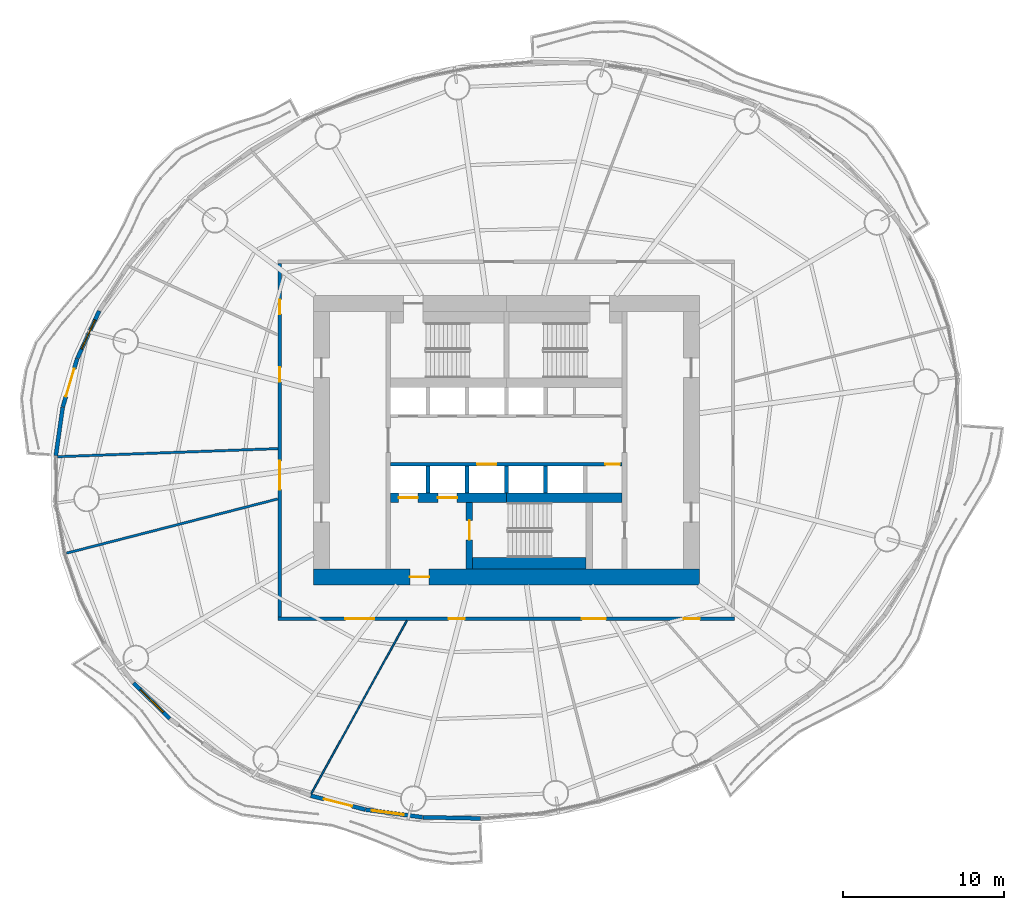
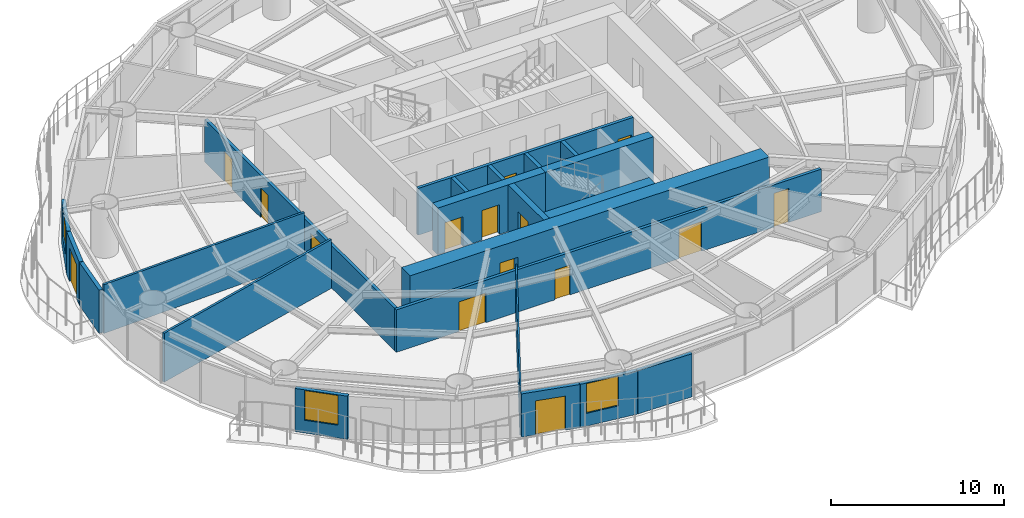
# One storey, part 8 of 17: 22 walls, 15 doors, 3 windows, 18 openings.
"""IFC4 building model written with IfcOpenShell, lengths in metres."""

from ifc_helpers import new_model, si_unit, direction, frame, frame_2d, origin, place, context, subcontext, project, spatial, rectangle, extrude, material, layer, layer_set, type_object, element, fill, save


model = new_model("IFC4")

# Units and contexts
model_context = context("Model", 3, precision=1e-05, world=origin(), true_north=direction((0.0, 1.0)))
body_context = subcontext(model_context, "Body", "Model", "MODEL_VIEW")
ifc_project = project(units=[si_unit("LENGTHUNIT", "METRE"), si_unit("AREAUNIT", "SQUARE_METRE"), si_unit("VOLUMEUNIT", "CUBIC_METRE"), si_unit("PLANEANGLEUNIT", "RADIAN"), si_unit("MASSUNIT", "GRAM", prefix="KILO")], contexts=[model_context])

# Site, building, storey
site_placement = place(None, origin())
site = spatial("IfcSite", under=ifc_project, at=site_placement, CompositionType="ELEMENT")
building_placement = place(site_placement, origin())
building = spatial("IfcBuilding", under=site, at=building_placement, Name="Vermilion Reach Broadcast Tower", CompositionType="ELEMENT")
storey_placement = place(building_placement, frame((0.0, 0.0, 92.199951171875)))
storey = spatial("IfcBuildingStorey", under=building, at=storey_placement, Name="L20", CompositionType="ELEMENT", Elevation=92.199951171875)

# Wall, opening, door
ifc_material_1 = material(Name="Concrete C70", Category="concrete")
ifc_layer_1 = layer(ifc_material_1, 0.39990234375)
ifc_layer_set_1 = layer_set([ifc_layer_1], Name="Core inner wall 400 mm Concrete C70")
wall_type_1 = type_object("IfcWallType", Name="Core inner wall 400 mm Concrete C70", PredefinedType="SHEAR", material=ifc_layer_set_1)
wall_1_placement = place(storey_placement, frame((-8.300048828125, -3.8798828125, 0.0), z_axis=(0.0, 0.0, 1.0), x_axis=(0.0, -1.0, 0.0)))
wall_1 = element("IfcWall", 1, at=wall_1_placement, inside=storey, type_object=wall_type_1, Name="L20 core wall wa", PredefinedType="SHEAR", context=body_context, shape_type="SweptSolid", body=[
    extrude(rectangle(XDim=4.1201171875, YDim=0.39990234375, at=frame_2d((2.06005859375, 0.0))), origin(), (0.0, 0.0, 1.0), 3.300048828125),
])
opening_1_placement = place(wall_1_placement, frame((1.110107421875, 0.0, 0.0)))
opening_1 = element("IfcOpeningElement", 2, at=opening_1_placement, cuts=wall_1, Name="Opening D01", PredefinedType="OPENING", context=body_context, shape_type="SweptSolid", body=[
    extrude(rectangle(XDim=1.199951171875, YDim=2.10009765625, at=frame_2d((0.60009765625, 1.050048828125))), frame((0.0, 0.2099609375, 0.0), z_axis=(0.0, -1.0, 0.0), x_axis=(1.0, 0.0, 0.0)), (0.0, 0.0, 1.0), 0.419921875),
])
ifc_material_2 = material(Name="Painted steel fire door", Category="steel")
door_type_1 = type_object("IfcDoorType", Name="Stair door 1200 x 2100", OperationType="DOUBLE_DOOR_SINGLE_SWING", PredefinedType="NOTDEFINED", material=ifc_material_2)
door_1_placement = place(opening_1_placement, origin())
door_1 = element("IfcDoor", 3, at=door_1_placement, inside=storey, type_object=door_type_1, Name="L20 stair door ST3", OperationType="DOUBLE_DOOR_SINGLE_SWING", OverallHeight=2.10009765625, OverallWidth=1.199951171875, PredefinedType="NOTDEFINED", context=body_context, shape_type="SweptSolid", body=[
    extrude(rectangle(XDim=1.199951171875, YDim=2.10009765625, at=frame_2d((0.60009765625, 1.050048828125))), frame((0.0, 0.02490234375, 0.0), z_axis=(0.0, -1.0, 0.0), x_axis=(1.0, 0.0, 0.0)), (0.0, 0.0, 1.0), 0.050048828125),
])
fill(opening_1, door_1)

# Wall, openings, doors
ifc_material_3 = material(Name="Concrete C70", Category="concrete")
ifc_layer_2 = layer(ifc_material_3, 0.60009765625)
ifc_layer_set_2 = layer_set([ifc_layer_2], Name="Core inner wall 600 mm Concrete C70")
wall_type_2 = type_object("IfcWallType", Name="Core inner wall 600 mm Concrete C70", PredefinedType="SHEAR", material=ifc_layer_set_2)
wall_2_placement = place(storey_placement, frame((-13.199951171875, -3.580078125, 0.0), z_axis=(0.0, 0.0, 1.0), x_axis=(1.0, 0.0, 0.0)))
wall_2 = element("IfcWall", 4, at=wall_2_placement, inside=storey, type_object=wall_type_2, Name="L20 core wall wisW", PredefinedType="SHEAR", context=body_context, shape_type="SweptSolid", body=[
    extrude(rectangle(XDim=7.199951171875, YDim=0.60009765625, at=frame_2d((3.60009765625, 0.0))), origin(), (0.0, 0.0, 1.0), 3.300048828125),
])
opening_2_placement = place(wall_2_placement, frame((0.495849609375, 0.0, 0.0)))
opening_2 = element("IfcOpeningElement", 5, at=opening_2_placement, cuts=wall_2, Name="Opening LD1", PredefinedType="OPENING", context=body_context, shape_type="SweptSolid", body=[
    extrude(rectangle(XDim=1.199951171875, YDim=2.10009765625, at=frame_2d((0.60009765625, 1.050048828125))), frame((0.0, 0.31005859375, 0.0), z_axis=(0.0, -1.0, 0.0), x_axis=(1.0, 0.0, 0.0)), (0.0, 0.0, 1.0), 0.6201171875),
])
opening_3_placement = place(wall_2_placement, frame((2.9375, 0.0, 0.0)))
opening_3 = element("IfcOpeningElement", 6, at=opening_3_placement, cuts=wall_2, Name="Opening LD1", PredefinedType="OPENING", context=body_context, shape_type="SweptSolid", body=[
    extrude(rectangle(XDim=1.199951171875, YDim=2.10009765625, at=frame_2d((0.60009765625, 1.050048828125))), frame((0.0, 0.31005859375, 0.0), z_axis=(0.0, -1.0, 0.0), x_axis=(1.0, 0.0, 0.0)), (0.0, 0.0, 1.0), 0.6201171875),
])
ifc_material_4 = material(Name="Stainless steel", Category="steel")
door_type_2 = type_object("IfcDoorType", Name="Landing door 1200 x 2100", OperationType="DOUBLE_DOOR_SLIDING", PredefinedType="NOTDEFINED", material=ifc_material_4)
door_2_placement = place(opening_2_placement, origin())
door_2 = element("IfcDoor", 7, at=door_2_placement, inside=storey, type_object=door_type_2, Name="L20 landing door FF1", OperationType="DOUBLE_DOOR_SLIDING", OverallHeight=2.10009765625, OverallWidth=1.199951171875, PredefinedType="NOTDEFINED", context=body_context, shape_type="SweptSolid", body=[
    extrude(rectangle(XDim=1.199951171875, YDim=2.10009765625, at=frame_2d((0.60009765625, 1.050048828125))), frame((0.0, 0.02490234375, 0.0), z_axis=(0.0, -1.0, 0.0), x_axis=(1.0, 0.0, 0.0)), (0.0, 0.0, 1.0), 0.050048828125),
])
fill(opening_2, door_2)
door_3_placement = place(opening_3_placement, origin())
door_3 = element("IfcDoor", 8, at=door_3_placement, inside=storey, type_object=door_type_2, Name="L20 landing door FF2", OperationType="DOUBLE_DOOR_SLIDING", OverallHeight=2.10009765625, OverallWidth=1.199951171875, PredefinedType="NOTDEFINED", context=body_context, shape_type="SweptSolid", body=[
    extrude(rectangle(XDim=1.199951171875, YDim=2.10009765625, at=frame_2d((0.60009765625, 1.050048828125))), frame((0.0, 0.02490234375, 0.0), z_axis=(0.0, -1.0, 0.0), x_axis=(1.0, 0.0, 0.0)), (0.0, 0.0, 1.0), 0.050048828125),
])
fill(opening_3, door_3)

# Wall
wall_3_placement = place(storey_placement, frame((-6.0, -3.580078125, 0.0), z_axis=(0.0, 0.0, 1.0), x_axis=(1.0, 0.0, 0.0)))
element("IfcWall", 9, at=wall_3_placement, inside=storey, type_object=wall_type_2, Name="L20 core wall wisE", PredefinedType="SHEAR", context=body_context, shape_type="SweptSolid", body=[
    extrude(rectangle(XDim=7.199951171875, YDim=0.60009765625, at=frame_2d((3.60009765625, 0.0))), origin(), (0.0, 0.0, 1.0), 3.300048828125),
])

# Wall, opening, door
ifc_material_5 = material(Name="Concrete C70", Category="concrete")
ifc_layer_3 = layer(ifc_material_5, 1.0)
ifc_layer_set_3 = layer_set([ifc_layer_3], Name="Core outer wall 1000 mm Concrete C70")
wall_type_3 = type_object("IfcWallType", Name="Core outer wall 1000 mm Concrete C70", PredefinedType="SHEAR", material=ifc_layer_set_3)
wall_4_placement = place(storey_placement, frame((-18.0, -8.5, 0.0), z_axis=(0.0, 0.0, 1.0), x_axis=(1.0, 0.0, 0.0)))
wall_4 = element("IfcWall", 10, at=wall_4_placement, inside=storey, type_object=wall_type_3, Name="L20 core wall os", PredefinedType="SHEAR", context=body_context, shape_type="SweptSolid", body=[
    extrude(rectangle(XDim=24.0, YDim=1.0, at=frame_2d((12.0, 0.0))), origin(), (0.0, 0.0, 1.0), 3.300048828125),
])
opening_4_placement = place(wall_4_placement, frame((6.0, 0.0, 0.0)))
opening_4 = element("IfcOpeningElement", 11, at=opening_4_placement, cuts=wall_4, Name="Opening D02", PredefinedType="OPENING", context=body_context, shape_type="SweptSolid", body=[
    extrude(rectangle(XDim=1.199951171875, YDim=2.10009765625, at=frame_2d((0.60009765625, 1.050048828125))), frame((0.0, 0.510009765625, 0.0), z_axis=(0.0, -1.0, 0.0), x_axis=(1.0, 0.0, 0.0)), (0.0, 0.0, 1.0), 1.02001953125),
])
ifc_material_6 = material(Name="Painted steel fire door", Category="steel")
door_type_3 = type_object("IfcDoorType", Name="Firefighting lobby door 1200 x 2100", OperationType="DOUBLE_DOOR_SINGLE_SWING", PredefinedType="NOTDEFINED", material=ifc_material_6)
door_4_placement = place(opening_4_placement, origin())
door_4 = element("IfcDoor", 12, at=door_4_placement, inside=storey, type_object=door_type_3, Name="L20 ffdoor door FFL", OperationType="DOUBLE_DOOR_SINGLE_SWING", OverallHeight=2.10009765625, OverallWidth=1.199951171875, PredefinedType="NOTDEFINED", context=body_context, shape_type="SweptSolid", body=[
    extrude(rectangle(XDim=1.199951171875, YDim=2.10009765625, at=frame_2d((0.60009765625, 1.050048828125))), frame((0.0, 0.02490234375, 0.0), z_axis=(0.0, -1.0, 0.0), x_axis=(1.0, 0.0, 0.0)), (0.0, 0.0, 1.0), 0.050048828125),
])
fill(opening_4, door_4)

# Wall, openings, doors
ifc_material_7 = material(Name="Concrete C50", Category="concrete")
ifc_layer_4 = layer(ifc_material_7, 0.199951171875)
ifc_layer_set_4 = layer_set([ifc_layer_4], Name="Core shaft wall 200 mm Concrete C50")
wall_type_4 = type_object("IfcWallType", Name="Core shaft wall 200 mm Concrete C50", PredefinedType="SHEAR", material=ifc_layer_set_4)
wall_5_placement = place(storey_placement, frame((1.199951171875, -1.5, 0.0), z_axis=(0.0, 0.0, 1.0), x_axis=(-1.0, 0.0, 0.0)))
wall_5 = element("IfcWall", 13, at=wall_5_placement, inside=storey, type_object=wall_type_4, Name="L20 core wall fs", PredefinedType="SHEAR", context=body_context, shape_type="SweptSolid", body=[
    extrude(rectangle(XDim=14.39990234375, YDim=0.199951171875, at=frame_2d((7.199951171875, 0.0))), origin(), (0.0, 0.0, 1.0), 3.300048828125),
])
opening_5_placement = place(wall_5_placement, frame((7.82080078125, 0.0, 0.0)))
opening_5 = element("IfcOpeningElement", 14, at=opening_5_placement, cuts=wall_5, Name="Opening LD1", PredefinedType="OPENING", context=body_context, shape_type="SweptSolid", body=[
    extrude(rectangle(XDim=1.199951171875, YDim=2.10009765625, at=frame_2d((0.60009765625, 1.050048828125))), frame((0.0, 0.10986328125, 0.0), z_axis=(0.0, -1.0, 0.0), x_axis=(1.0, 0.0, 0.0)), (0.0, 0.0, 1.0), 0.219970703125),
])
opening_6_placement = place(wall_5_placement, frame((0.14990234375, 0.0, 0.0)))
opening_6 = element("IfcOpeningElement", 15, at=opening_6_placement, cuts=wall_5, Name="Opening D06", PredefinedType="OPENING", context=body_context, shape_type="SweptSolid", body=[
    extrude(rectangle(XDim=0.89990234375, YDim=2.10009765625, at=frame_2d((0.449951171875, 1.050048828125))), frame((0.0, 0.10986328125, 0.0), z_axis=(0.0, -1.0, 0.0), x_axis=(1.0, 0.0, 0.0)), (0.0, 0.0, 1.0), 0.219970703125),
])
door_5_placement = place(opening_5_placement, origin())
door_5 = element("IfcDoor", 16, at=door_5_placement, inside=storey, type_object=door_type_2, Name="L20 landing door SV1", OperationType="DOUBLE_DOOR_SLIDING", OverallHeight=2.10009765625, OverallWidth=1.199951171875, PredefinedType="NOTDEFINED", context=body_context, shape_type="SweptSolid", body=[
    extrude(rectangle(XDim=1.199951171875, YDim=2.10009765625, at=frame_2d((0.60009765625, 1.050048828125))), frame((0.0, 0.02490234375, 0.0), z_axis=(0.0, -1.0, 0.0), x_axis=(1.0, 0.0, 0.0)), (0.0, 0.0, 1.0), 0.050048828125),
])
fill(opening_5, door_5)
ifc_material_8 = material(Name="Timber door", Category="wood")
door_type_4 = type_object("IfcDoorType", Name="WC door 900 x 2100", OperationType="NOTDEFINED", PredefinedType="NOTDEFINED", material=ifc_material_8)
door_6_placement = place(opening_6_placement, origin())
door_6 = element("IfcDoor", 17, at=door_6_placement, inside=storey, type_object=door_type_4, Name="L20 door Male WC", OperationType="SINGLE_SWING_LEFT", OverallHeight=2.10009765625, OverallWidth=0.89990234375, PredefinedType="NOTDEFINED", context=body_context, shape_type="SweptSolid", body=[
    extrude(rectangle(XDim=0.89990234375, YDim=2.10009765625, at=frame_2d((0.449951171875, 1.050048828125))), frame((0.0, 0.02490234375, 0.0), z_axis=(0.0, -1.0, 0.0), x_axis=(1.0, 0.0, 0.0)), (0.0, 0.0, 1.0), 0.050048828125),
])
fill(opening_6, door_6)

# Walls
ifc_material_9 = material(Name="Concrete C50", Category="concrete")
ifc_layer_5 = layer(ifc_material_9, 0.25)
ifc_layer_set_5 = layer_set([ifc_layer_5], Name="Core shaft wall 250 mm Concrete C50")
wall_type_5 = type_object("IfcWallType", Name="Core shaft wall 250 mm Concrete C50", PredefinedType="SHEAR", material=ifc_layer_set_5)
for number, where, z_axis, x_axis, name in (
    (18, (-10.88330078125, -1.60009765625, 0.0), (0.0, 0.0, 1.0), (0.0, -1.0, 0.0), "L20 core wall psS0"),
    (19, (-8.441650390625, -1.60009765625, 0.0), (0.0, 0.0, 1.0), (0.0, -1.0, 0.0), "L20 core wall psS1"),
    (20, (-6.0, -1.60009765625, 0.0), (0.0, 0.0, 1.0), (0.0, -1.0, 0.0), "L20 core wall psS2"),
    (21, (-3.558349609375, -1.60009765625, 0.0), (0.0, 0.0, 1.0), (0.0, -1.0, 0.0), "L20 core wall psS3"),
):
    element("IfcWall", number, at=place(storey_placement, frame(where, z_axis=z_axis, x_axis=x_axis)), inside=storey, type_object=wall_type_5, Name=name, PredefinedType="SHEAR", context=body_context, shape_type="SweptSolid", body=[
        extrude(rectangle(XDim=1.679931640625, YDim=0.25, at=frame_2d((0.83984375, 0.0))), origin(), (0.0, 0.0, 1.0), 3.300048828125),
    ])
ifc_material_10 = material(Name="Concrete C70", Category="concrete")
ifc_layer_6 = layer(ifc_material_10, 0.699951171875)
ifc_layer_set_6 = layer_set([ifc_layer_6], Name="Core stair wall 700 mm Concrete C70")
wall_type_6 = type_object("IfcWallType", Name="Core stair wall 700 mm Concrete C70", PredefinedType="SHEAR", material=ifc_layer_set_6)
wall_6_placement = place(storey_placement, frame((-8.10009765625, -7.64990234375, 0.0), z_axis=(0.0, 0.0, 1.0), x_axis=(1.0, 0.0, 0.0)))
element("IfcWall", 22, at=wall_6_placement, inside=storey, type_object=wall_type_6, Name="L20 core wall l3", PredefinedType="SHEAR", context=body_context, shape_type="SweptSolid", body=[
    extrude(rectangle(XDim=7.050048828125, YDim=0.699951171875, at=frame_2d((3.52490234375, 0.0))), origin(), (0.0, 0.0, 1.0), 3.300048828125),
])
ifc_material_11 = material(Name="Plasterboard on steel stud", Category="steel")
ifc_layer_7 = layer(ifc_material_11, 0.10009765625)
ifc_layer_set_7 = layer_set([ifc_layer_7], Name="Partition 100 steel stud")
wall_type_7 = type_object("IfcWallType", Name="Partition 100 steel stud", PredefinedType="PARTITIONING", material=ifc_layer_set_7)
wall_7_placement = place(storey_placement, frame((-18.13818359375, -21.9853515625, 0.0), z_axis=(0.0, 0.0, 1.0), x_axis=(0.483337741679, 0.875433965225, 0.0)))
element("IfcWall", 23, at=wall_7_placement, inside=storey, type_object=wall_type_7, Name="Partition 20.07", PredefinedType="PARTITIONING", context=body_context, shape_type="SweptSolid", body=[
    extrude(rectangle(XDim=12.29248046875, YDim=0.10009765625, at=frame_2d((6.146240234375, 0.0))), origin(), (0.0, 0.0, 1.0), 3.449951171875),
])
ifc_material_12 = material(Name="Lightweight concrete block, plastered", Category="concrete")
ifc_layer_8 = layer(ifc_material_12, 0.14990234375)
ifc_layer_set_8 = layer_set([ifc_layer_8], Name="Partition 150 lightweight block")
wall_type_8 = type_object("IfcWallType", Name="Partition 150 lightweight block", PredefinedType="PARTITIONING", material=ifc_layer_set_8)
wall_8_placement = place(storey_placement, frame((-33.906982421875, -1.02490234375, 0.0), z_axis=(0.0, 0.0, 1.0), x_axis=(0.999325981894, 0.036709425377, 0.0)))
element("IfcWall", 24, at=wall_8_placement, inside=storey, type_object=wall_type_8, Name="Partition 20.05", PredefinedType="PARTITIONING", context=body_context, shape_type="SweptSolid", body=[
    extrude(rectangle(XDim=13.713623046875, YDim=0.14990234375, at=frame_2d((6.85693359375, 0.0))), origin(), (0.0, 0.0, 1.0), 3.449951171875),
])
wall_9_placement = place(storey_placement, frame((-33.353515625, -7.023193359375, 0.0), z_axis=(0.0, 0.0, 1.0), x_axis=(0.968580958916, 0.248698464061, 0.0)))
element("IfcWall", 25, at=wall_9_placement, inside=storey, type_object=wall_type_8, Name="Partition 20.06", PredefinedType="PARTITIONING", context=body_context, shape_type="SweptSolid", body=[
    extrude(rectangle(XDim=13.560791015625, YDim=0.14990234375, at=frame_2d((6.7802734375, 0.0))), origin(), (0.0, 0.0, 1.0), 3.449951171875),
])

# Wall, opening, window
ifc_material_13 = material(Name="Terracotta rainscreen cladding", Category="masonry")
ifc_layer_9 = layer(ifc_material_13, 0.25)
ifc_layer_set_9 = layer_set([ifc_layer_9], Name="Terracotta rainscreen wall 250")
wall_type_9 = type_object("IfcWallType", Name="Terracotta rainscreen wall 250", PredefinedType="SOLIDWALL", material=ifc_layer_set_9)
wall_10_placement = place(storey_placement, frame((-31.325927734375, 8.039306640625, 0.0), z_axis=(0.0, 0.0, 1.0), x_axis=(-0.41936019053, -0.907819932916, 0.0)))
wall_10 = element("IfcWall", 26, at=wall_10_placement, inside=storey, type_object=wall_type_9, Name="External wall L20 19", PredefinedType="SOLIDWALL", context=body_context, shape_type="SweptSolid", body=[
    extrude(rectangle(XDim=3.229248046875, YDim=0.25, at=frame_2d((1.61474609375, 0.0))), origin(), (0.0, 0.0, 1.0), 3.050048828125),
])
opening_7_placement = place(wall_10_placement, frame((0.61474609375, 0.0, 0.89990234375)))
opening_7 = element("IfcOpeningElement", 27, at=opening_7_placement, cuts=wall_10, Name="Opening W03", PredefinedType="OPENING", context=body_context, shape_type="SweptSolid", body=[
    extrude(rectangle(XDim=2.0, YDim=2.10009765625, at=frame_2d((1.0, 1.050048828125))), frame((0.0, 0.135009765625, 0.0), z_axis=(0.0, -1.0, 0.0), x_axis=(1.0, 0.0, 0.0)), (0.0, 0.0, 1.0), 0.27001953125),
])
ifc_material_14 = material(Name="Low-e laminated clear glass in aluminium frame", Category="aluminium")
window_type = type_object("IfcWindowType", Name="Punched window 2000 x 2100 sill 900", PartitioningType="SINGLE_PANEL", PredefinedType="WINDOW", material=ifc_material_14)
window_1_placement = place(opening_7_placement, origin())
window_1 = element("IfcWindow", 28, at=window_1_placement, inside=storey, type_object=window_type, Name="Window L20 19", OverallHeight=2.10009765625, OverallWidth=2.0, PartitioningType="SINGLE_PANEL", PredefinedType="WINDOW", context=body_context, shape_type="SweptSolid", body=[
    extrude(rectangle(XDim=2.0, YDim=2.10009765625, at=frame_2d((1.0, 1.050048828125))), frame((0.0, 0.030029296875, 0.0), z_axis=(0.0, -1.0, 0.0), x_axis=(1.0, 0.0, 0.0)), (0.0, 0.0, 1.0), 0.06005859375),
])
fill(opening_7, window_1)

# Wall, opening, door
wall_11_placement = place(storey_placement, frame((-32.689453125, 5.08349609375, 0.0), z_axis=(0.0, 0.0, 1.0), x_axis=(-0.286322623224, -0.958133266008, 0.0)))
wall_11 = element("IfcWall", 29, at=wall_11_placement, inside=storey, type_object=wall_type_9, Name="External wall L20 20", PredefinedType="SOLIDWALL", context=body_context, shape_type="SweptSolid", body=[
    extrude(rectangle(XDim=3.146484375, YDim=0.25, at=frame_2d((1.5732421875, 0.0))), origin(), (0.0, 0.0, 1.0), 3.050048828125),
])
opening_8_placement = place(wall_11_placement, frame((0.673095703125, 0.0, 0.0)))
opening_8 = element("IfcOpeningElement", 30, at=opening_8_placement, cuts=wall_11, Name="Opening D70", PredefinedType="OPENING", context=body_context, shape_type="SweptSolid", body=[
    extrude(rectangle(XDim=1.800048828125, YDim=2.39990234375, at=frame_2d((0.89990234375, 1.199951171875))), frame((0.0, 0.135009765625, 0.0), z_axis=(0.0, -1.0, 0.0), x_axis=(1.0, 0.0, 0.0)), (0.0, 0.0, 1.0), 0.27001953125),
])
ifc_material_15 = material(Name="Low-e laminated clear glass in aluminium frame", Category="aluminium")
door_type_5 = type_object("IfcDoorType", Name="Balcony sliding door 1800 x 2400", OperationType="DOUBLE_DOOR_SLIDING", PredefinedType="DOOR", material=ifc_material_15)
door_7_placement = place(opening_8_placement, origin())
door_7 = element("IfcDoor", 31, at=door_7_placement, inside=storey, type_object=door_type_5, Name="Balcony door L20 run 05", OperationType="DOUBLE_DOOR_SLIDING", OverallHeight=2.39990234375, OverallWidth=1.800048828125, PredefinedType="DOOR", context=body_context, shape_type="SweptSolid", body=[
    extrude(rectangle(XDim=1.800048828125, YDim=2.39990234375, at=frame_2d((0.89990234375, 1.199951171875))), frame((0.0, 0.02490234375, 0.0), z_axis=(0.0, -1.0, 0.0), x_axis=(1.0, 0.0, 0.0)), (0.0, 0.0, 1.0), 0.050048828125),
])
fill(opening_8, door_7)

# Wall
wall_12_placement = place(storey_placement, frame((-33.595947265625, 2.04296875, 0.0), z_axis=(0.0, 0.0, 1.0), x_axis=(-0.140993456439, -0.990010527844, 0.0)))
element("IfcWall", 32, at=wall_12_placement, inside=storey, type_object=wall_type_9, Name="External wall L20 21", PredefinedType="SOLIDWALL", context=body_context, shape_type="SweptSolid", body=[
    extrude(rectangle(XDim=3.035400390625, YDim=0.25, at=frame_2d((1.517578125, 0.0))), origin(), (0.0, 0.0, 1.0), 3.050048828125),
])

# Wall, opening, window
wall_13_placement = place(storey_placement, frame((-29.180908203125, -15.104736328125, 0.0), z_axis=(0.0, 0.0, 1.0), x_axis=(0.712517876271, -0.701653957443, 0.0)))
wall_13 = element("IfcWall", 33, at=wall_13_placement, inside=storey, type_object=wall_type_9, Name="External wall L20 27", PredefinedType="SOLIDWALL", context=body_context, shape_type="SweptSolid", body=[
    extrude(rectangle(XDim=3.146240234375, YDim=0.25, at=frame_2d((1.5732421875, 0.0))), origin(), (0.0, 0.0, 1.0), 3.050048828125),
])
opening_9_placement = place(wall_13_placement, frame((0.5732421875, 0.0, 0.89990234375)))
opening_9 = element("IfcOpeningElement", 34, at=opening_9_placement, cuts=wall_13, Name="Opening W03", PredefinedType="OPENING", context=body_context, shape_type="SweptSolid", body=[
    extrude(rectangle(XDim=2.0, YDim=2.10009765625, at=frame_2d((1.0, 1.050048828125))), frame((0.0, 0.135009765625, 0.0), z_axis=(0.0, -1.0, 0.0), x_axis=(1.0, 0.0, 0.0)), (0.0, 0.0, 1.0), 0.27001953125),
])
window_2_placement = place(opening_9_placement, origin())
window_2 = element("IfcWindow", 35, at=window_2_placement, inside=storey, type_object=window_type, Name="Window L20 27", OverallHeight=2.10009765625, OverallWidth=2.0, PartitioningType="SINGLE_PANEL", PredefinedType="WINDOW", context=body_context, shape_type="SweptSolid", body=[
    extrude(rectangle(XDim=2.0, YDim=2.10009765625, at=frame_2d((1.0, 1.050048828125))), frame((0.0, 0.030029296875, 0.0), z_axis=(0.0, -1.0, 0.0), x_axis=(1.0, 0.0, 0.0)), (0.0, 0.0, 1.0), 0.06005859375),
])
fill(opening_9, window_2)

# Wall, opening, door
wall_14_placement = place(storey_placement, frame((-18.1650390625, -22.107421875, 0.0), z_axis=(0.0, 0.0, 1.0), x_axis=(0.969010602055, -0.247019135097, 0.0)))
wall_14 = element("IfcWall", 36, at=wall_14_placement, inside=storey, type_object=wall_type_9, Name="External wall L20 31", PredefinedType="SOLIDWALL", context=body_context, shape_type="SweptSolid", body=[
    extrude(rectangle(XDim=3.495849609375, YDim=0.25, at=frame_2d((1.748046875, 0.0))), origin(), (0.0, 0.0, 1.0), 3.050048828125),
])
opening_10_placement = place(wall_14_placement, frame((0.847900390625, 0.0, 0.0)))
opening_10 = element("IfcOpeningElement", 37, at=opening_10_placement, cuts=wall_14, Name="Opening D70", PredefinedType="OPENING", context=body_context, shape_type="SweptSolid", body=[
    extrude(rectangle(XDim=1.800048828125, YDim=2.39990234375, at=frame_2d((0.89990234375, 1.199951171875))), frame((0.0, 0.135009765625, 0.0), z_axis=(0.0, -1.0, 0.0), x_axis=(1.0, 0.0, 0.0)), (0.0, 0.0, 1.0), 0.27001953125),
])
door_8_placement = place(opening_10_placement, origin())
door_8 = element("IfcDoor", 38, at=door_8_placement, inside=storey, type_object=door_type_5, Name="Balcony door L20 run 08", OperationType="DOUBLE_DOOR_SLIDING", OverallHeight=2.39990234375, OverallWidth=1.800048828125, PredefinedType="DOOR", context=body_context, shape_type="SweptSolid", body=[
    extrude(rectangle(XDim=1.800048828125, YDim=2.39990234375, at=frame_2d((0.89990234375, 1.199951171875))), frame((0.0, 0.02490234375, 0.0), z_axis=(0.0, -1.0, 0.0), x_axis=(1.0, 0.0, 0.0)), (0.0, 0.0, 1.0), 0.050048828125),
])
fill(opening_10, door_8)

# Wall, opening, window
wall_15_placement = place(storey_placement, frame((-14.75537109375, -22.97509765625, 0.0), z_axis=(0.0, 0.0, 1.0), x_axis=(0.991208182453, -0.132311522699, 0.0)))
wall_15 = element("IfcWall", 39, at=wall_15_placement, inside=storey, type_object=wall_type_9, Name="External wall L20 32", PredefinedType="SOLIDWALL", context=body_context, shape_type="SweptSolid", body=[
    extrude(rectangle(XDim=3.570556640625, YDim=0.25, at=frame_2d((1.78515625, 0.0))), origin(), (0.0, 0.0, 1.0), 3.050048828125),
])
opening_11_placement = place(wall_15_placement, frame((0.385009765625, 0.0, 0.89990234375)))
opening_11 = element("IfcOpeningElement", 40, at=opening_11_placement, cuts=wall_15, Name="Opening W03", PredefinedType="OPENING", context=body_context, shape_type="SweptSolid", body=[
    extrude(rectangle(XDim=2.0, YDim=2.10009765625, at=frame_2d((1.0, 1.050048828125))), frame((0.0, 0.135009765625, 0.0), z_axis=(0.0, -1.0, 0.0), x_axis=(1.0, 0.0, 0.0)), (0.0, 0.0, 1.0), 0.27001953125),
])
window_3_placement = place(opening_11_placement, origin())
window_3 = element("IfcWindow", 41, at=window_3_placement, inside=storey, type_object=window_type, Name="Window L20 32", OverallHeight=2.10009765625, OverallWidth=2.0, PartitioningType="SINGLE_PANEL", PredefinedType="WINDOW", context=body_context, shape_type="SweptSolid", body=[
    extrude(rectangle(XDim=2.0, YDim=2.10009765625, at=frame_2d((1.0, 1.050048828125))), frame((0.0, 0.030029296875, 0.0), z_axis=(0.0, -1.0, 0.0), x_axis=(1.0, 0.0, 0.0)), (0.0, 0.0, 1.0), 0.06005859375),
])
fill(opening_11, window_3)

# Wall
wall_16_placement = place(storey_placement, frame((-11.1943359375, -23.44921875, 0.0), z_axis=(0.0, 0.0, 1.0), x_axis=(0.999799651437, -0.020016417945, 0.0)))
element("IfcWall", 42, at=wall_16_placement, inside=storey, type_object=wall_type_9, Name="External wall L20 33", PredefinedType="SOLIDWALL", context=body_context, shape_type="SweptSolid", body=[
    extrude(rectangle(XDim=3.5859375, YDim=0.25, at=frame_2d((1.79296875, 0.0))), origin(), (0.0, 0.0, 1.0), 3.050048828125),
])

# Wall, openings, doors
ifc_material_16 = material(Name="Fire-rated gypsum board partition")
ifc_layer_10 = layer(ifc_material_16, 0.199951171875)
ifc_layer_set_10 = layer_set([ifc_layer_10], Name="Under girder: Corridor wall 200 fire-rated")
wall_type_10 = type_object("IfcWallType", Name="Under girder: Corridor wall 200 fire-rated", PredefinedType="PARTITIONING", material=ifc_layer_set_10)
wall_17_placement = place(storey_placement, frame((8.199951171875, -11.10009765625, 0.0), z_axis=(0.0, 0.0, 1.0), x_axis=(-1.0, 0.0, 0.0)))
wall_17 = element("IfcWall", 43, at=wall_17_placement, inside=storey, type_object=wall_type_10, Name="Corridor wall 20.S", PredefinedType="PARTITIONING", context=body_context, shape_type="SweptSolid", body=[
    extrude(rectangle(XDim=28.39990234375, YDim=0.199951171875, at=frame_2d((14.199951171875, 0.0))), origin(), (0.0, 0.0, 1.0), 3.0),
])
opening_12_placement = place(wall_17_placement, frame((22.41845703125, 0.0, 0.0)))
opening_12 = element("IfcOpeningElement", 44, at=opening_12_placement, cuts=wall_17, Name="Opening D21", PredefinedType="OPENING", context=body_context, shape_type="SweptSolid", body=[
    extrude(rectangle(XDim=1.800048828125, YDim=2.10009765625, at=frame_2d((0.89990234375, 1.050048828125))), frame((0.0, 0.10986328125, 0.0), z_axis=(0.0, -1.0, 0.0), x_axis=(1.0, 0.0, 0.0)), (0.0, 0.0, 1.0), 0.219970703125),
])
opening_13_placement = place(wall_17_placement, frame((16.795654296875, 0.0, 0.0)))
opening_13 = element("IfcOpeningElement", 45, at=opening_13_placement, cuts=wall_17, Name="Opening D20", PredefinedType="OPENING", context=body_context, shape_type="SweptSolid", body=[
    extrude(rectangle(XDim=1.0, YDim=2.10009765625, at=frame_2d((0.5, 1.050048828125))), frame((0.0, 0.10986328125, 0.0), z_axis=(0.0, -1.0, 0.0), x_axis=(1.0, 0.0, 0.0)), (0.0, 0.0, 1.0), 0.219970703125),
])
opening_14_placement = place(wall_17_placement, frame((8.009033203125, 0.0, 0.0)))
opening_14 = element("IfcOpeningElement", 46, at=opening_14_placement, cuts=wall_17, Name="Opening D24", PredefinedType="OPENING", context=body_context, shape_type="SweptSolid", body=[
    extrude(rectangle(XDim=1.5, YDim=2.10009765625, at=frame_2d((0.75, 1.050048828125))), frame((0.0, 0.10986328125, 0.0), z_axis=(0.0, -1.0, 0.0), x_axis=(1.0, 0.0, 0.0)), (0.0, 0.0, 1.0), 0.219970703125),
])
opening_15_placement = place(wall_17_placement, frame((2.173095703125, 0.0, 0.0)))
opening_15 = element("IfcOpeningElement", 47, at=opening_15_placement, cuts=wall_17, Name="Opening D23", PredefinedType="OPENING", context=body_context, shape_type="SweptSolid", body=[
    extrude(rectangle(XDim=1.0, YDim=2.39990234375, at=frame_2d((0.5, 1.199951171875))), frame((0.0, 0.10986328125, 0.0), z_axis=(0.0, -1.0, 0.0), x_axis=(1.0, 0.0, 0.0)), (0.0, 0.0, 1.0), 0.219970703125),
])
ifc_material_17 = material(Name="Timber door leaf", Category="wood")
door_type_6 = type_object("IfcDoorType", Name="Door pair 1500x2100", OperationType="NOTDEFINED", PredefinedType="DOOR", material=ifc_material_17)
door_9_placement = place(opening_14_placement, origin())
door_9 = element("IfcDoor", 48, at=door_9_placement, inside=storey, type_object=door_type_6, Name="Door 20.08", OperationType="DOUBLE_DOOR_SINGLE_SWING", OverallHeight=2.10009765625, OverallWidth=1.5, PredefinedType="DOOR", context=body_context, shape_type="SweptSolid", body=[
    extrude(rectangle(XDim=1.5, YDim=2.10009765625, at=frame_2d((0.75, 1.050048828125))), frame((0.0, 0.02490234375, 0.0), z_axis=(0.0, -1.0, 0.0), x_axis=(1.0, 0.0, 0.0)), (0.0, 0.0, 1.0), 0.050048828125),
])
fill(opening_14, door_9)
ifc_material_18 = material(Name="Timber door leaf", Category="wood")
door_type_7 = type_object("IfcDoorType", Name="Door pair 1800x2100", OperationType="NOTDEFINED", PredefinedType="DOOR", material=ifc_material_18)
door_10_placement = place(opening_12_placement, origin())
door_10 = element("IfcDoor", 49, at=door_10_placement, inside=storey, type_object=door_type_7, Name="Door 20.06", OperationType="DOUBLE_DOOR_SINGLE_SWING", OverallHeight=2.10009765625, OverallWidth=1.800048828125, PredefinedType="DOOR", context=body_context, shape_type="SweptSolid", body=[
    extrude(rectangle(XDim=1.800048828125, YDim=2.10009765625, at=frame_2d((0.89990234375, 1.050048828125))), frame((0.0, 0.02490234375, 0.0), z_axis=(0.0, -1.0, 0.0), x_axis=(1.0, 0.0, 0.0)), (0.0, 0.0, 1.0), 0.050048828125),
])
fill(opening_12, door_10)
ifc_material_19 = material(Name="Timber door leaf", Category="wood")
door_type_8 = type_object("IfcDoorType", Name="Door single 1000x2100", OperationType="NOTDEFINED", PredefinedType="DOOR", material=ifc_material_19)
door_11_placement = place(opening_13_placement, origin())
door_11 = element("IfcDoor", 50, at=door_11_placement, inside=storey, type_object=door_type_8, Name="Door 20.07", OperationType="SINGLE_SWING_RIGHT", OverallHeight=2.10009765625, OverallWidth=1.0, PredefinedType="DOOR", context=body_context, shape_type="SweptSolid", body=[
    extrude(rectangle(XDim=1.0, YDim=2.10009765625, at=frame_2d((0.5, 1.050048828125))), frame((0.0, 0.02490234375, 0.0), z_axis=(0.0, -1.0, 0.0), x_axis=(1.0, 0.0, 0.0)), (0.0, 0.0, 1.0), 0.050048828125),
])
fill(opening_13, door_11)
ifc_material_20 = material(Name="Veneered timber door leaf", Category="wood")
door_type_9 = type_object("IfcDoorType", Name="Door single 1000x2400", OperationType="NOTDEFINED", PredefinedType="DOOR", material=ifc_material_20)
door_12_placement = place(opening_15_placement, origin())
door_12 = element("IfcDoor", 51, at=door_12_placement, inside=storey, type_object=door_type_9, Name="Door 20.09", OperationType="SINGLE_SWING_RIGHT", OverallHeight=2.39990234375, OverallWidth=1.0, PredefinedType="DOOR", context=body_context, shape_type="SweptSolid", body=[
    extrude(rectangle(XDim=1.0, YDim=2.39990234375, at=frame_2d((0.5, 1.199951171875))), frame((0.0, 0.02490234375, 0.0), z_axis=(0.0, -1.0, 0.0), x_axis=(1.0, 0.0, 0.0)), (0.0, 0.0, 1.0), 0.050048828125),
])
fill(opening_15, door_12)

wall_18_placement = place(storey_placement, frame((-20.10009765625, -11.0, 0.0), z_axis=(0.0, 0.0, 1.0), x_axis=(0.0, 1.0, 0.0)))
wall_18 = element("IfcWall", 52, at=wall_18_placement, inside=storey, type_object=wall_type_10, Name="Corridor wall 20.W", PredefinedType="PARTITIONING", context=body_context, shape_type="SweptSolid", body=[
    extrude(rectangle(XDim=22.0, YDim=0.199951171875, at=frame_2d((11.0, 0.0))), origin(), (0.0, 0.0, 1.0), 3.0),
])
opening_16_placement = place(wall_18_placement, frame((18.841796875, 0.0, 0.0)))
opening_16 = element("IfcOpeningElement", 53, at=opening_16_placement, cuts=wall_18, Name="Opening D22", PredefinedType="OPENING", context=body_context, shape_type="SweptSolid", body=[
    extrude(rectangle(XDim=0.89990234375, YDim=2.10009765625, at=frame_2d((0.449951171875, 1.050048828125))), frame((0.0, 0.10986328125, 0.0), z_axis=(0.0, -1.0, 0.0), x_axis=(1.0, 0.0, 0.0)), (0.0, 0.0, 1.0), 0.219970703125),
])
opening_17_placement = place(wall_18_placement, frame((14.625244140625, 0.0, 0.0)))
opening_17 = element("IfcOpeningElement", 54, at=opening_17_placement, cuts=wall_18, Name="Opening D22", PredefinedType="OPENING", context=body_context, shape_type="SweptSolid", body=[
    extrude(rectangle(XDim=0.89990234375, YDim=2.10009765625, at=frame_2d((0.449951171875, 1.050048828125))), frame((0.0, 0.10986328125, 0.0), z_axis=(0.0, -1.0, 0.0), x_axis=(1.0, 0.0, 0.0)), (0.0, 0.0, 1.0), 0.219970703125),
])
opening_18_placement = place(wall_18_placement, frame((7.92138671875, 0.0, 0.0)))
opening_18 = element("IfcOpeningElement", 55, at=opening_18_placement, cuts=wall_18, Name="Opening D27", PredefinedType="OPENING", context=body_context, shape_type="SweptSolid", body=[
    extrude(rectangle(XDim=1.800048828125, YDim=2.39990234375, at=frame_2d((0.89990234375, 1.199951171875))), frame((0.0, 0.10986328125, 0.0), z_axis=(0.0, -1.0, 0.0), x_axis=(1.0, 0.0, 0.0)), (0.0, 0.0, 1.0), 0.219970703125),
])
ifc_material_21 = material(Name="Acoustic timber door leaf", Category="wood")
door_type_10 = type_object("IfcDoorType", Name="Door pair 1800x2400", OperationType="NOTDEFINED", PredefinedType="DOOR", material=ifc_material_21)
door_13_placement = place(opening_18_placement, origin())
door_13 = element("IfcDoor", 56, at=door_13_placement, inside=storey, type_object=door_type_10, Name="Door 20.05", OperationType="DOUBLE_DOOR_SINGLE_SWING", OverallHeight=2.39990234375, OverallWidth=1.800048828125, PredefinedType="DOOR", context=body_context, shape_type="SweptSolid", body=[
    extrude(rectangle(XDim=1.800048828125, YDim=2.39990234375, at=frame_2d((0.89990234375, 1.199951171875))), frame((0.0, 0.02490234375, 0.0), z_axis=(0.0, -1.0, 0.0), x_axis=(1.0, 0.0, 0.0)), (0.0, 0.0, 1.0), 0.050048828125),
])
fill(opening_18, door_13)
ifc_material_22 = material(Name="Timber door leaf", Category="wood")
door_type_11 = type_object("IfcDoorType", Name="Door single 900x2100", OperationType="NOTDEFINED", PredefinedType="DOOR", material=ifc_material_22)
door_14_placement = place(opening_16_placement, origin())
door_14 = element("IfcDoor", 57, at=door_14_placement, inside=storey, type_object=door_type_11, Name="Door 20.03", OperationType="SINGLE_SWING_LEFT", OverallHeight=2.10009765625, OverallWidth=0.89990234375, PredefinedType="DOOR", context=body_context, shape_type="SweptSolid", body=[
    extrude(rectangle(XDim=0.89990234375, YDim=2.10009765625, at=frame_2d((0.449951171875, 1.050048828125))), frame((0.0, 0.02490234375, 0.0), z_axis=(0.0, -1.0, 0.0), x_axis=(1.0, 0.0, 0.0)), (0.0, 0.0, 1.0), 0.050048828125),
])
fill(opening_16, door_14)
door_15_placement = place(opening_17_placement, origin())
door_15 = element("IfcDoor", 58, at=door_15_placement, inside=storey, type_object=door_type_11, Name="Door 20.04", OperationType="SINGLE_SWING_RIGHT", OverallHeight=2.10009765625, OverallWidth=0.89990234375, PredefinedType="DOOR", context=body_context, shape_type="SweptSolid", body=[
    extrude(rectangle(XDim=0.89990234375, YDim=2.10009765625, at=frame_2d((0.449951171875, 1.050048828125))), frame((0.0, 0.02490234375, 0.0), z_axis=(0.0, -1.0, 0.0), x_axis=(1.0, 0.0, 0.0)), (0.0, 0.0, 1.0), 0.050048828125),
])
fill(opening_17, door_15)

save(model, "model.ifc")
